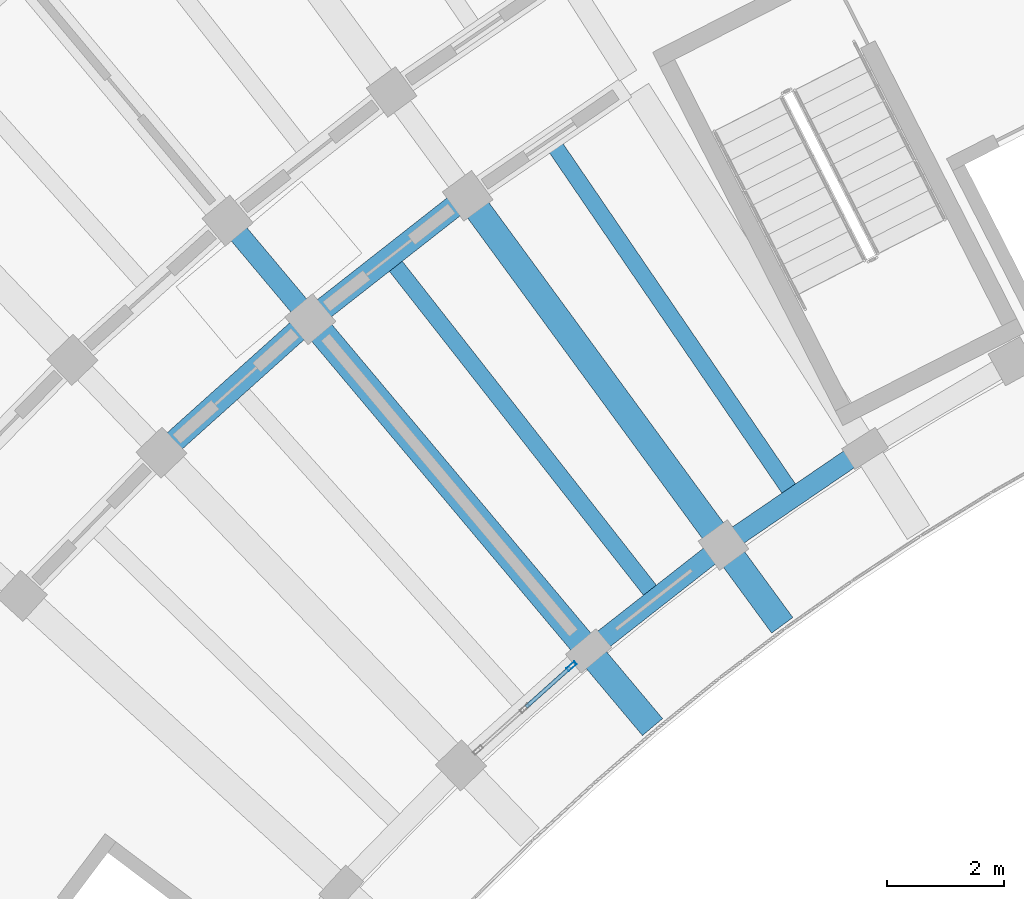
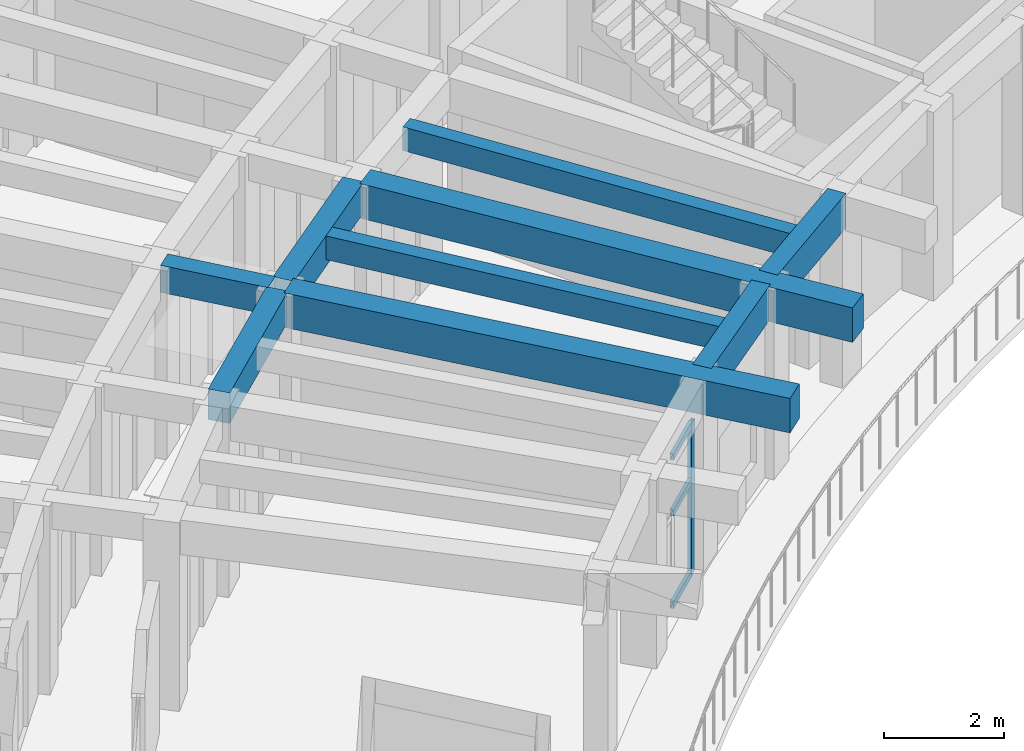
# One storey, part 40 of 128: 9 beams, 4 members, 1 element without a shape of its own.
"""IFC4 building model written with IfcOpenShell, lengths in metres."""

from ifc_helpers import new_model, si_unit, direction, frame, origin, origin_2d, place, context, subcontext, project, spatial, rectangle, hollow_rectangle, extrude, material, material_profile, profile_set, type_object, element, aggregate, save


model = new_model("IFC4")

# Units and contexts
model_context = context("Model", 3, precision=1e-05, world=origin(), true_north=direction((0.0, 1.0)))
body_context = subcontext(model_context, "Body", "Model", "MODEL_VIEW")
ifc_project = project(units=[si_unit("LENGTHUNIT", "METRE"), si_unit("AREAUNIT", "SQUARE_METRE"), si_unit("VOLUMEUNIT", "CUBIC_METRE"), si_unit("PLANEANGLEUNIT", "RADIAN"), si_unit("MASSUNIT", "GRAM", prefix="KILO")], contexts=[model_context])

# Site, building, storey
site_placement = place(None, origin())
site = spatial("IfcSite", under=ifc_project, at=site_placement, CompositionType="ELEMENT")
building_placement = place(site_placement, origin())
building = spatial("IfcBuilding", under=site, at=building_placement, Name="Tanwirah Colonnade Gardens", CompositionType="ELEMENT")
storey_placement = place(building_placement, frame((0.0, 0.0, 4.760009765625)))
storey = spatial("IfcBuildingStorey", under=building, at=storey_placement, Name="L01", CompositionType="ELEMENT", Elevation=4.760009765625)

# Beams
ifc_material_1 = material(Name="Precast concrete C40/50", Category="concrete")
ifc_material_profile_1 = material_profile(ifc_material_1, rectangle(XDim=0.35009765625, YDim=0.550048828125, at=origin_2d()), Name="PC-BM 350x550")
ifc_profile_set_1 = profile_set([ifc_material_profile_1], Name="Precast concrete C40/50")
beam_type_1 = type_object("IfcBeamType", Name="BM-PC350A", PredefinedType="BEAM", material=ifc_profile_set_1)
beam_placement = place(storey_placement, frame((31.574951171875, 100.034423828125, 3.550048828125), z_axis=(-0.642797194343, 0.766036400535, 0.0), x_axis=(-0.766036400535, -0.642797194343, 0.0)))
element("IfcBeam", 1, at=beam_placement, inside=storey, type_object=beam_type_1, Name="Block A L01 Corridor Tie Beam 9", PredefinedType="BEAM", context=body_context, shape_type="SweptSolid", body=[
    extrude(rectangle(XDim=0.35009765625, YDim=0.550048828125, at=origin_2d()), origin(), (0.0, 0.0, 1.0), 1.89990234375),
])
ifc_material_profile_2 = material_profile(ifc_material_1, rectangle(XDim=0.3798828125, YDim=0.6201171875, at=origin_2d()), Name="PC-BM 380x620")
ifc_profile_set_2 = profile_set([ifc_material_profile_2], Name="Precast concrete C40/50")
beam_type_2 = type_object("IfcBeamType", Name="BM-PC380", PredefinedType="BEAM", material=ifc_profile_set_2)
for number, where, z_axis, x_axis, name in (
    (2, (34.242919921875, 101.9365234375, 3.514892578125), (-0.78679899272, -0.617209320292, 0.0), (0.617209320292, -0.78679899272, 0.0), "Block A L01 Circumferential Beam 8-R1"),
    (3, (31.559814453125, 99.8193359375, 3.514892578125), (-0.744429866059, -0.667700662363, 0.0), (0.667700662363, -0.744429866059, 0.0), "Block A L01 Circumferential Beam 9-R1"),
):
    element("IfcBeam", number, at=place(storey_placement, frame(where, z_axis=z_axis, x_axis=x_axis)), inside=storey, type_object=beam_type_2, Name=name, PredefinedType="BEAM", context=body_context, shape_type="SweptSolid", body=[
        extrude(rectangle(XDim=0.3798828125, YDim=0.6201171875, at=origin_2d()), origin(), (0.0, 0.0, 1.0), 3.1181640625),
    ])
ifc_material_2 = material(Name="Precast concrete C45/55", Category="concrete")
ifc_material_profile_3 = material_profile(ifc_material_2, rectangle(XDim=0.449951171875, YDim=0.699951171875, at=origin_2d()), Name="PC-BM 450x700")
ifc_profile_set_3 = profile_set([ifc_material_profile_3], Name="Precast concrete C45/55")
beam_type_3 = type_object("IfcBeamType", Name="BM-PC450", PredefinedType="BEAM", material=ifc_profile_set_3)
for number, where, z_axis, x_axis, name in (
    (4, (34.449462890625, 101.907958984375, 3.47509765625), (0.590927205009, -0.806724883947, 0.0), (0.806724883947, 0.590927205009, 0.0), "Block A L01 Inner Radial Precast Girder 8"),
    (5, (31.767822265625, 99.804443359375, 3.47509765625), (0.64279407932, -0.766039014406, 0.0), (0.766039014406, 0.64279407932, 0.0), "Block A L01 Inner Radial Precast Girder 9"),
):
    element("IfcBeam", number, at=place(storey_placement, frame(where, z_axis=z_axis, x_axis=x_axis)), inside=storey, type_object=beam_type_3, Name=name, PredefinedType="BEAM", context=body_context, shape_type="SweptSolid", body=[
        extrude(rectangle(XDim=0.449951171875, YDim=0.699951171875, at=origin_2d()), origin(), (0.0, 0.0, 1.0), 8.949951171875),
    ])

# Curtain wall, members
ifc_material_3 = material(Name="Bronze-anodised aluminium and solar-control low-E glass", Category="aluminium")
curtain_wall_type = type_object("IfcCurtainWallType", Name="CW-GDN", PredefinedType="NOTDEFINED", material=ifc_material_3)
curtain_wall_placement = place(storey_placement, origin())
curtain_wall = element("IfcCurtainWall", 6, at=curtain_wall_placement, inside=storey, type_object=curtain_wall_type, Name="Curtain Wall CW-A-L01-IN-09", PredefinedType="NOTDEFINED")
ifc_material_4 = material(Name="Bronze-anodised aluminium", Category="aluminium")
ifc_material_profile_4 = material_profile(ifc_material_4, hollow_rectangle(XDim=0.06494140625, YDim=0.179931640625, WallThickness=0.00390625, at=origin_2d()), Name="CW-MUL 65x180x4")
ifc_profile_set_4 = profile_set([ifc_material_profile_4], Name="Bronze-anodised aluminium")
member_type_1 = type_object("IfcMemberType", Name="CWM-65x180", PredefinedType="MULLION", material=ifc_profile_set_4)
member_1_placement = place(storey_placement, frame((36.135986328125, 93.988525390625, 0.0), z_axis=(0.0, 0.0, 1.0), x_axis=(0.667689182798, -0.744440162253, 0.0)))
member_1 = element("IfcMember", 7, at=member_1_placement, type_object=member_type_1, Name="CW-GDN mullion 1", PredefinedType="MULLION", context=body_context, shape_type="SweptSolid", body=[
    extrude(hollow_rectangle(XDim=0.06494140625, YDim=0.179931640625, WallThickness=0.00390625, at=origin_2d()), origin(), (0.0, 0.0, 1.0), 3.074951171875),
])
ifc_material_profile_5 = material_profile(ifc_material_4, hollow_rectangle(XDim=0.06494140625, YDim=0.135009765625, WallThickness=0.00390625, at=origin_2d()), Name="CW-TRN 65x135x4")
ifc_profile_set_5 = profile_set([ifc_material_profile_5], Name="Bronze-anodised aluminium")
member_type_2 = type_object("IfcMemberType", Name="CWT-65x135", PredefinedType="USERDEFINED", material=ifc_profile_set_5)
member_2_placement = place(storey_placement, frame((36.11181640625, 93.966796875, 0.032470703125), z_axis=(-0.744581898821, -0.667531119835, 0.0), x_axis=(0.667531119835, -0.744581898821, 0.0)))
member_2 = element("IfcMember", 8, at=member_2_placement, type_object=member_type_2, Name="CW-GDN transom 1.1", ObjectType="TRANSOM", PredefinedType="USERDEFINED", context=body_context, shape_type="SweptSolid", body=[
    extrude(hollow_rectangle(XDim=0.06494140625, YDim=0.135009765625, WallThickness=0.00390625, at=origin_2d()), origin(), (0.0, 0.0, 1.0), 1.007568359375),
])
member_3_placement = place(storey_placement, frame((36.11181640625, 93.966796875, 1.906494140625), z_axis=(-0.744581898821, -0.667531119835, 0.0), x_axis=(0.667531119835, -0.744581898821, 0.0)))
member_3 = element("IfcMember", 9, at=member_3_placement, type_object=member_type_2, Name="CW-GDN transom 1.2", ObjectType="TRANSOM", PredefinedType="USERDEFINED", context=body_context, shape_type="SweptSolid", body=[
    extrude(hollow_rectangle(XDim=0.06494140625, YDim=0.135009765625, WallThickness=0.00390625, at=origin_2d()), origin(), (0.0, 0.0, 1.0), 1.007568359375),
])
member_4_placement = place(storey_placement, frame((36.11181640625, 93.966796875, 3.04248046875), z_axis=(-0.744581898821, -0.667531119835, 0.0), x_axis=(0.667531119835, -0.744581898821, 0.0)))
member_4 = element("IfcMember", 10, at=member_4_placement, type_object=member_type_2, Name="CW-GDN transom 1.3", ObjectType="TRANSOM", PredefinedType="USERDEFINED", context=body_context, shape_type="SweptSolid", body=[
    extrude(hollow_rectangle(XDim=0.06494140625, YDim=0.135009765625, WallThickness=0.00390625, at=origin_2d()), origin(), (0.0, 0.0, 1.0), 1.007568359375),
])
aggregate(curtain_wall, [member_1, member_2, member_3, member_4])

# Beams
ifc_material_profile_6 = material_profile(ifc_material_1, rectangle(XDim=0.280029296875, YDim=0.47998046875, at=origin_2d()), Name="PC-JST 280x480")
ifc_profile_set_6 = profile_set([ifc_material_profile_6], Name="Precast concrete C40/50")
beam_type_4 = type_object("IfcBeamType", Name="JST-PC280", PredefinedType="JOIST", material=ifc_profile_set_6)
for number, where, z_axis, x_axis, name in (
    (11, (39.8623046875, 97.004638671875, 3.5849609375), (-0.564021195806, 0.825760310672, 0.0), (-0.825760310672, -0.564021195806, 0.0), "Block A L01 Inner Precast Floor Joist 7"),
    (12, (37.491943359375, 95.268310546875, 3.5849609375), (-0.617202438917, 0.786804390808, 0.0), (-0.786804390808, -0.617202438917, 0.0), "Block A L01 Inner Precast Floor Joist 8"),
):
    element("IfcBeam", number, at=place(storey_placement, frame(where, z_axis=z_axis, x_axis=x_axis)), inside=storey, type_object=beam_type_4, Name=name, PredefinedType="JOIST", context=body_context, shape_type="SweptSolid", body=[
        extrude(rectangle(XDim=0.280029296875, YDim=0.47998046875, at=origin_2d()), origin(), (0.0, 0.0, 1.0), 7.159912109375),
    ])
ifc_material_profile_7 = material_profile(ifc_material_2, rectangle(XDim=0.340087890625, YDim=0.699951171875, at=origin_2d()), Name="PC-SP 340x700")
ifc_profile_set_7 = profile_set([ifc_material_profile_7], Name="Precast concrete C45/55")
beam_type_5 = type_object("IfcBeamType", Name="SP-PC340", PredefinedType="SPANDREL", material=ifc_profile_set_7)
for number, where, z_axis, x_axis, name in (
    (13, (41.029541015625, 97.627197265625, 3.47509765625), (-0.825800981874, -0.563961646158, 0.0), (0.563961646158, -0.825800981874, 0.0), "Block A L01 Circumferential Beam 7-R0"),
    (14, (38.61572265625, 95.966552734375, 3.47509765625), (-0.786836625031, -0.617161344795, 0.0), (0.617161344795, -0.786836625031, 0.0), "Block A L01 Circumferential Beam 8-R0"),
):
    element("IfcBeam", number, at=place(storey_placement, frame(where, z_axis=z_axis, x_axis=x_axis)), inside=storey, type_object=beam_type_5, Name=name, PredefinedType="SPANDREL", context=body_context, shape_type="SweptSolid", body=[
        extrude(rectangle(XDim=0.340087890625, YDim=0.699951171875, at=origin_2d()), origin(), (0.0, 0.0, 1.0), 2.63037109375),
    ])

save(model, "model.ifc")
